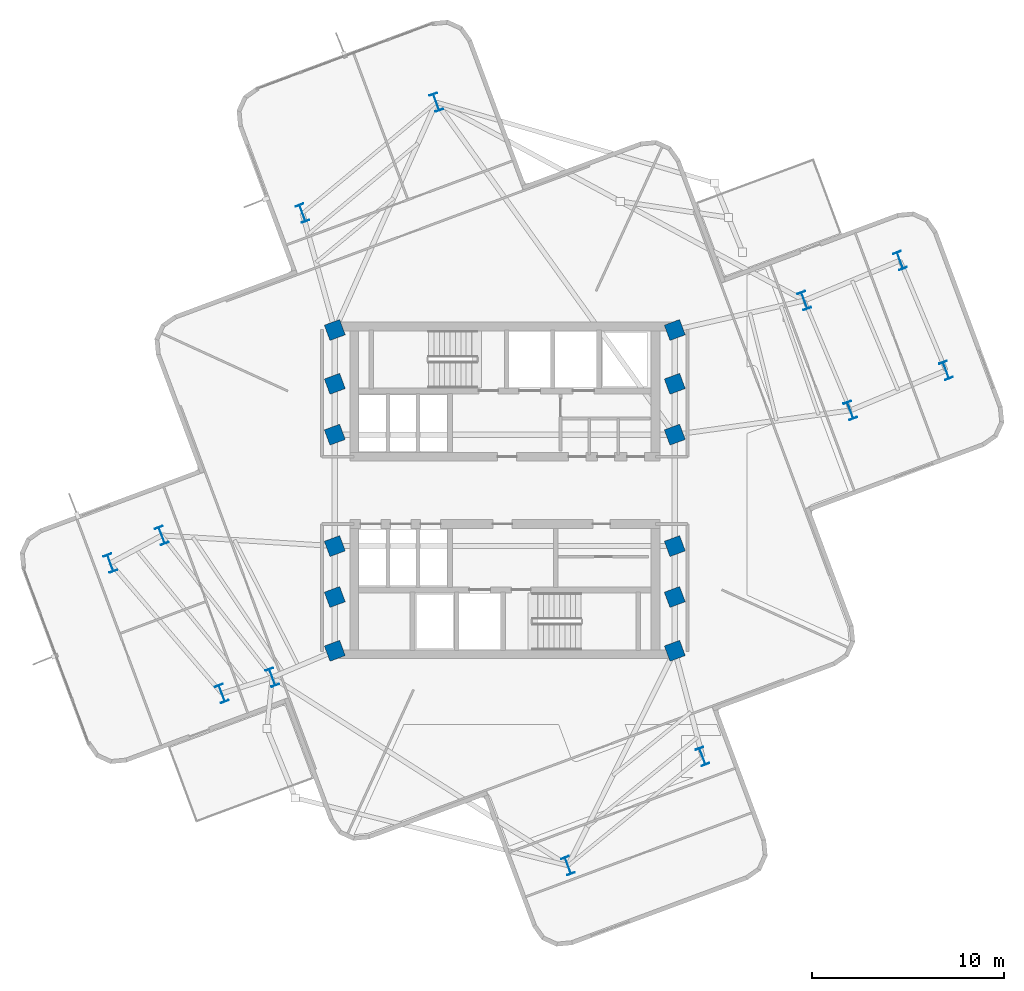
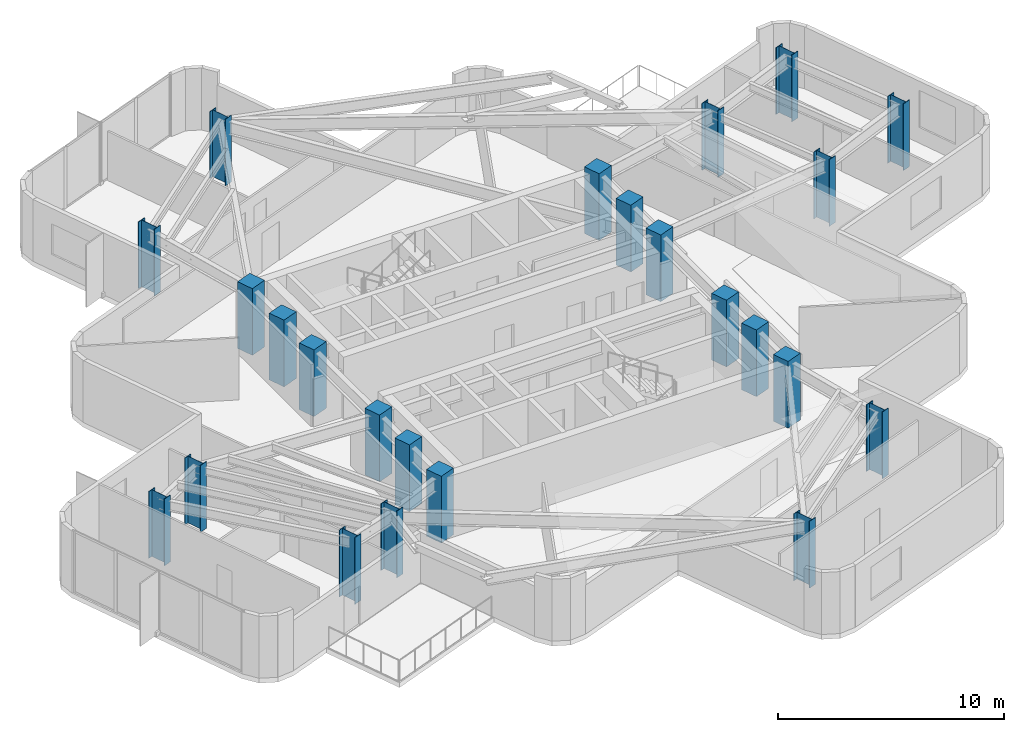
# One storey, part 1 of 11: 24 columns.
"""IFC4 building model written with IfcOpenShell, lengths in metres."""

from ifc_helpers import new_model, si_unit, direction, frame, origin, origin_2d, place, context, subcontext, project, spatial, rectangle, i_section, extrude, material, material_profile, profile_set, type_object, element, save


model = new_model("IFC4")

# Units and contexts
model_context = context("Model", 3, precision=1e-05, world=origin(), true_north=direction((0.0, 1.0)))
body_context = subcontext(model_context, "Body", "Model", "MODEL_VIEW")
ifc_project = project(units=[si_unit("LENGTHUNIT", "METRE"), si_unit("AREAUNIT", "SQUARE_METRE"), si_unit("VOLUMEUNIT", "CUBIC_METRE"), si_unit("PLANEANGLEUNIT", "RADIAN"), si_unit("MASSUNIT", "GRAM", prefix="KILO")], contexts=[model_context])

# Site, building, storey
site_placement = place(None, origin())
site = spatial("IfcSite", under=ifc_project, at=site_placement, CompositionType="ELEMENT")
building_placement = place(site_placement, origin())
building = spatial("IfcBuilding", under=site, at=building_placement, Name="Solmarez Civic Tower", CompositionType="ELEMENT")
storey_placement = place(building_placement, frame((0.0, 0.0, 170.280029296875)))
storey = spatial("IfcBuildingStorey", under=building, at=storey_placement, Name="L45", CompositionType="ELEMENT", Elevation=170.280029296875)

# Columns
ifc_material_1 = material(Name="Concrete C50/60", Category="concrete")
ifc_material_profile_1 = material_profile(ifc_material_1, rectangle(XDim=0.85009765625, YDim=0.85009765625, at=origin_2d()), Name="RC850X850")
ifc_profile_set_1 = profile_set([ifc_material_profile_1], Name="Concrete C50/60")
column_type_1 = type_object("IfcColumnType", Name="COL-RC850", PredefinedType="COLUMN", material=ifc_profile_set_1)
for number, where, z_axis, x_axis, name in (
    (1, (-8.85009765625, -5.550048828125, 0.0), (0.0, 0.0, 1.0), (0.937281989492, 0.348572047322, 0.0), "L45 Structural Column HC1"),
    (2, (-8.85009765625, -2.89990234375, 0.0), (0.0, 0.0, 1.0), (0.937281989492, 0.348572047322, 0.0), "L45 Structural Column HC2"),
    (3, (-8.85009765625, 2.89990234375, 0.0), (0.0, 0.0, 1.0), (0.937281989492, 0.348572047322, 0.0), "L45 Structural Column HC3"),
    (4, (-8.85009765625, 5.550048828125, 0.0), (0.0, 0.0, 1.0), (0.937281989492, 0.348572047322, 0.0), "L45 Structural Column HC4"),
    (5, (8.85009765625, -5.550048828125, 0.0), (0.0, 0.0, 1.0), (0.937281989492, 0.348572047322, 0.0), "L45 Structural Column HC5"),
    (6, (8.85009765625, -2.89990234375, 0.0), (0.0, 0.0, 1.0), (0.937281989492, 0.348572047322, 0.0), "L45 Structural Column HC6"),
    (7, (8.85009765625, 2.89990234375, 0.0), (0.0, 0.0, 1.0), (0.937281989492, 0.348572047322, 0.0), "L45 Structural Column HC7"),
    (8, (8.85009765625, 5.550048828125, 0.0), (0.0, 0.0, 1.0), (0.937281989492, 0.348572047322, 0.0), "L45 Structural Column HC8"),
    (9, (-8.85009765625, 8.35009765625, 0.0), (0.0, 0.0, 1.0), (0.937281989492, 0.348572047322, 0.0), "L45 Structural Column HC9"),
    (10, (8.85009765625, -8.35009765625, 0.0), (0.0, 0.0, 1.0), (0.937281989492, 0.348572047322, 0.0), "L45 Structural Column HC10"),
    (11, (8.85009765625, 8.35009765625, 0.0), (0.0, 0.0, 1.0), (0.937281989492, 0.348572047322, 0.0), "L45 Structural Column HC11"),
    (12, (-8.85009765625, -8.35009765625, 0.0), (0.0, 0.0, 1.0), (0.937281989492, 0.348572047322, 0.0), "L45 Structural Column HC12"),
):
    element("IfcColumn", number, at=place(storey_placement, frame(where, z_axis=z_axis, x_axis=x_axis)), inside=storey, type_object=column_type_1, Name=name, PredefinedType="COLUMN", context=body_context, shape_type="SweptSolid", body=[
        extrude(rectangle(XDim=0.85009765625, YDim=0.85009765625, at=origin_2d()), origin(), (0.0, 0.0, 1.0), 3.599853515625),
    ])
ifc_material_2 = material(Name="Steel S355", Category="steel")
ifc_material_profile_2 = material_profile(ifc_material_2, i_section(OverallWidth=0.41796875, OverallDepth=0.927001953125, WebThickness=0.019287109375, FlangeThickness=0.031982421875, at=origin_2d()), Name="W36X231")
ifc_profile_set_2 = profile_set([ifc_material_profile_2], Name="Steel S355")
column_type_2 = type_object("IfcColumnType", Name="COL-W36X231", PredefinedType="COLUMN", material=ifc_profile_set_2)
for number, where, z_axis, x_axis, name in (
    (13, (17.987060546875, 4.1640625, 0.0), (0.0, 0.0, 1.0), (0.937281989492, 0.348572047322, 0.0), "L45 Structural Column EA11"),
    (14, (15.593994140625, 9.883056640625, 0.0), (0.0, 0.0, 1.0), (0.937281989492, 0.348572047322, 0.0), "L45 Structural Column EA12"),
    (15, (22.968017578125, 6.248046875, 0.0), (0.0, 0.0, 1.0), (0.937281989492, 0.348572047322, 0.0), "L45 Structural Column EA21"),
    (16, (20.575927734375, 11.967041015625, 0.0), (0.0, 0.0, 1.0), (0.937281989492, 0.348572047322, 0.0), "L45 Structural Column EA22"),
    (17, (-3.570068359375, 20.20703125, 0.0), (0.0, 0.0, 1.0), (0.937281989492, 0.348572047322, 0.0), "L45 Structural Column NA11"),
    (18, (-10.532958984375, 14.43310546875, 0.0), (0.0, 0.0, 1.0), (0.937281989492, 0.348572047322, 0.0), "L45 Structural Column NA12"),
    (19, (-17.85791015625, -2.345947265625, 0.0), (0.0, 0.0, 1.0), (0.937281989492, 0.348572047322, 0.0), "L45 Structural Column WA11"),
    (20, (-12.10595703125, -9.73095703125, 0.0), (0.0, 0.0, 1.0), (0.937281989492, 0.348572047322, 0.0), "L45 Structural Column WA12"),
    (21, (-20.534912109375, -3.7880859375, 0.0), (0.0, 0.0, 1.0), (0.937281989492, 0.348572047322, 0.0), "L45 Structural Column WA21"),
    (22, (-14.73095703125, -10.572998046875, 0.0), (0.0, 0.0, 1.0), (0.937281989492, 0.348572047322, 0.0), "L45 Structural Column WA22"),
    (23, (3.2900390625, -19.535888671875, 0.0), (0.0, 0.0, 1.0), (0.937281989492, 0.348572047322, 0.0), "L45 Structural Column SA11"),
    (24, (10.2900390625, -13.85009765625, 0.0), (0.0, 0.0, 1.0), (0.937281989492, 0.348572047322, 0.0), "L45 Structural Column SA12"),
):
    element("IfcColumn", number, at=place(storey_placement, frame(where, z_axis=z_axis, x_axis=x_axis)), inside=storey, type_object=column_type_2, Name=name, PredefinedType="COLUMN", context=body_context, shape_type="SweptSolid", body=[
        extrude(i_section(OverallWidth=0.41796875, OverallDepth=0.927001953125, WebThickness=0.019287109375, FlangeThickness=0.031982421875, at=origin_2d()), origin(), (0.0, 0.0, 1.0), 3.599853515625),
    ])

save(model, "model.ifc")
